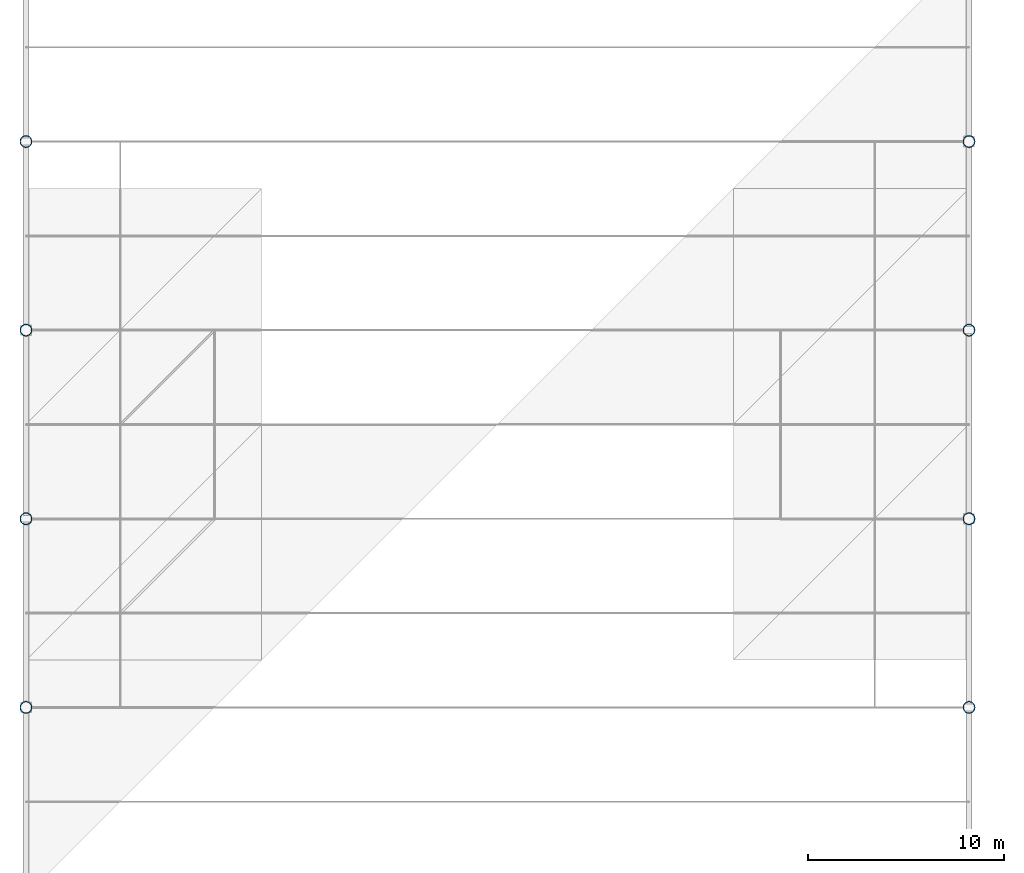
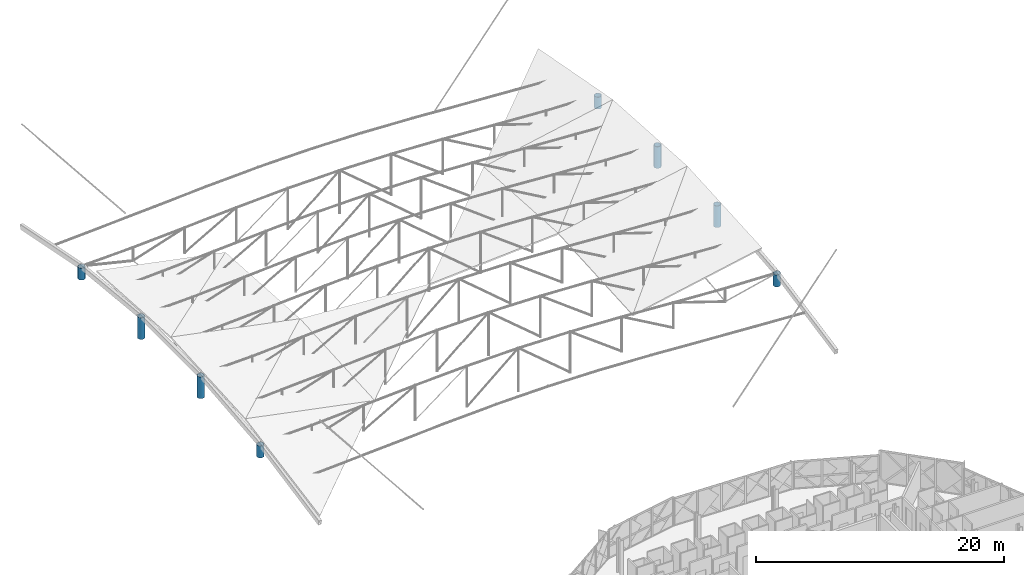
# One storey, part 5 of 50: 8 columns.
"""IFC4 building model written with IfcOpenShell, lengths in metres."""

from ifc_helpers import new_model, si_unit, direction, frame, origin, origin_2d, place, context, subcontext, project, spatial, hollow_circle, extrude, material, material_profile, profile_set, type_object, element, save


model = new_model("IFC4")

# Units and contexts
model_context = context("Model", 3, precision=1e-05, world=origin(), true_north=direction((0.0, 1.0)))
body_context = subcontext(model_context, "Body", "Model", "MODEL_VIEW")
ifc_project = project(units=[si_unit("LENGTHUNIT", "METRE"), si_unit("AREAUNIT", "SQUARE_METRE"), si_unit("VOLUMEUNIT", "CUBIC_METRE"), si_unit("PLANEANGLEUNIT", "RADIAN"), si_unit("MASSUNIT", "GRAM", prefix="KILO")], contexts=[model_context])

# Site, building, storey
site_placement = place(None, origin())
site = spatial("IfcSite", under=ifc_project, at=site_placement, CompositionType="ELEMENT")
building_placement = place(site_placement, origin())
building = spatial("IfcBuilding", under=site, at=building_placement, Name="Zevrakil Square Congress Hotel", CompositionType="ELEMENT")
storey_placement = place(building_placement, frame((0.0, 0.0, 21.5)))
storey = spatial("IfcBuildingStorey", under=building, at=storey_placement, Name="L06", CompositionType="ELEMENT", Elevation=21.5)

# Columns
ifc_material = material(Name="Steel S355", Category="steel")
ifc_material_profile = material_profile(ifc_material, hollow_circle(Radius=0.304931640625, WallThickness=0.02490234375, at=origin_2d()), Name="CHS 610x25")
ifc_profile_set = profile_set([ifc_material_profile], Name="Steel S355")
column_type = type_object("IfcColumnType", Name="COL-CHS610", PredefinedType="COLUMN", material=ifc_profile_set)
column_1_placement = place(storey_placement, frame((165.60009765625, 74.39990234375, 0.0), z_axis=(0.0, 0.0, 1.0), x_axis=(1.0, 0.0, 0.0)))
element("IfcColumn", 1, at=column_1_placement, inside=storey, type_object=column_type, Name="L06 Congress ring pedestal column CP-07", PredefinedType="COLUMN", context=body_context, shape_type="SweptSolid", body=[
    extrude(hollow_circle(Radius=0.304931640625, WallThickness=0.02490234375, at=origin_2d()), origin(), (0.0, 0.0, 1.0), 1.169921875),
])
for number, where, z_axis, x_axis, name in (
    (2, (165.60009765625, 84.0, 0.0), (0.0, 0.0, 1.0), (1.0, 0.0, 0.0), "L06 Congress ring pedestal column CP-08"),
    (3, (165.60009765625, 93.60009765625, 0.0), (0.0, 0.0, 1.0), (1.0, 0.0, 0.0), "L06 Congress ring pedestal column CP-09"),
):
    element("IfcColumn", number, at=place(storey_placement, frame(where, z_axis=z_axis, x_axis=x_axis)), inside=storey, type_object=column_type, Name=name, PredefinedType="COLUMN", context=body_context, shape_type="SweptSolid", body=[
        extrude(hollow_circle(Radius=0.304931640625, WallThickness=0.02490234375, at=origin_2d()), origin(), (0.0, 0.0, 1.0), 2.1298828125),
    ])
for number, where, z_axis, x_axis, name in (
    (4, (165.60009765625, 103.199951171875, 0.0), (0.0, 0.0, 1.0), (1.0, 0.0, 0.0), "L06 Congress ring pedestal column CP-10"),
    (5, (117.60009765625, 103.199951171875, 0.0), (0.0, 0.0, 1.0), (1.0, 0.0, 0.0), "L06 Congress ring pedestal column CP-17"),
):
    element("IfcColumn", number, at=place(storey_placement, frame(where, z_axis=z_axis, x_axis=x_axis)), inside=storey, type_object=column_type, Name=name, PredefinedType="COLUMN", context=body_context, shape_type="SweptSolid", body=[
        extrude(hollow_circle(Radius=0.304931640625, WallThickness=0.02490234375, at=origin_2d()), origin(), (0.0, 0.0, 1.0), 1.169921875),
    ])
for number, where, z_axis, x_axis, name in (
    (6, (117.60009765625, 93.60009765625, 0.0), (0.0, 0.0, 1.0), (1.0, 0.0, 0.0), "L06 Congress ring pedestal column CP-18"),
    (7, (117.60009765625, 84.0, 0.0), (0.0, 0.0, 1.0), (1.0, 0.0, 0.0), "L06 Congress ring pedestal column CP-19"),
):
    element("IfcColumn", number, at=place(storey_placement, frame(where, z_axis=z_axis, x_axis=x_axis)), inside=storey, type_object=column_type, Name=name, PredefinedType="COLUMN", context=body_context, shape_type="SweptSolid", body=[
        extrude(hollow_circle(Radius=0.304931640625, WallThickness=0.02490234375, at=origin_2d()), origin(), (0.0, 0.0, 1.0), 2.1298828125),
    ])
column_2_placement = place(storey_placement, frame((117.60009765625, 74.39990234375, 0.0), z_axis=(0.0, 0.0, 1.0), x_axis=(1.0, 0.0, 0.0)))
element("IfcColumn", 8, at=column_2_placement, inside=storey, type_object=column_type, Name="L06 Congress ring pedestal column CP-20", PredefinedType="COLUMN", context=body_context, shape_type="SweptSolid", body=[
    extrude(hollow_circle(Radius=0.304931640625, WallThickness=0.02490234375, at=origin_2d()), origin(), (0.0, 0.0, 1.0), 1.169921875),
])

save(model, "model.ifc")
